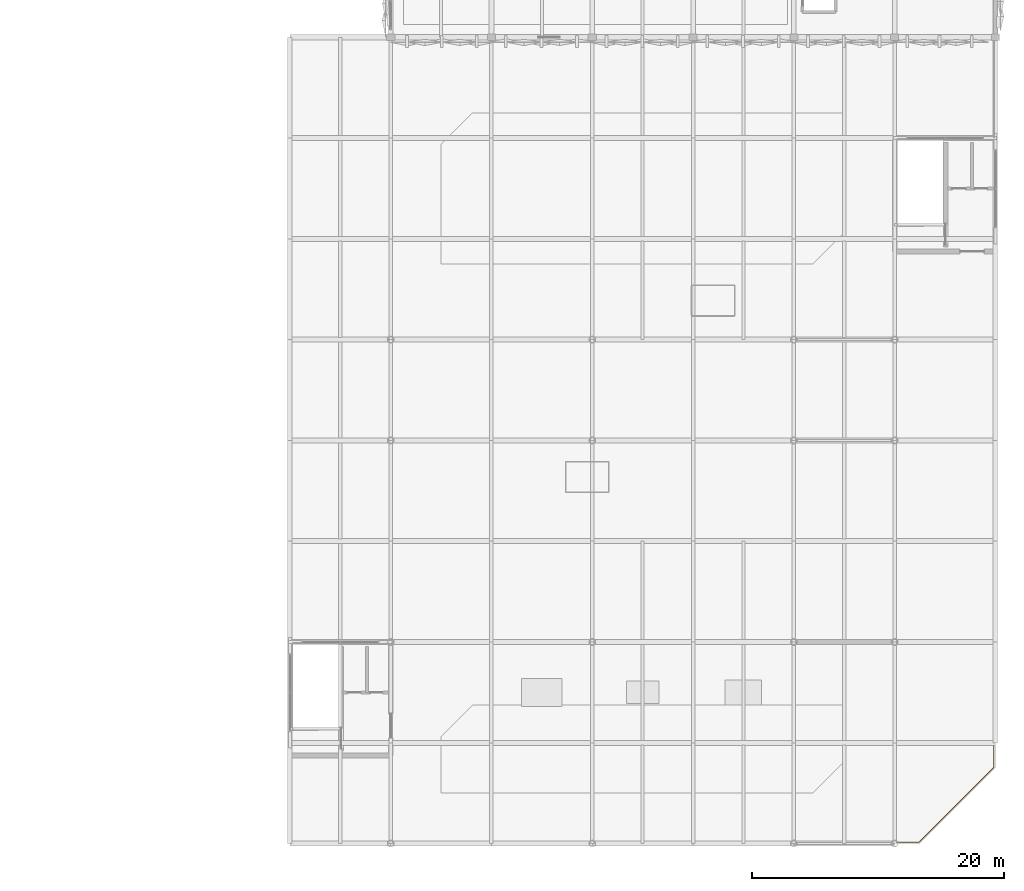
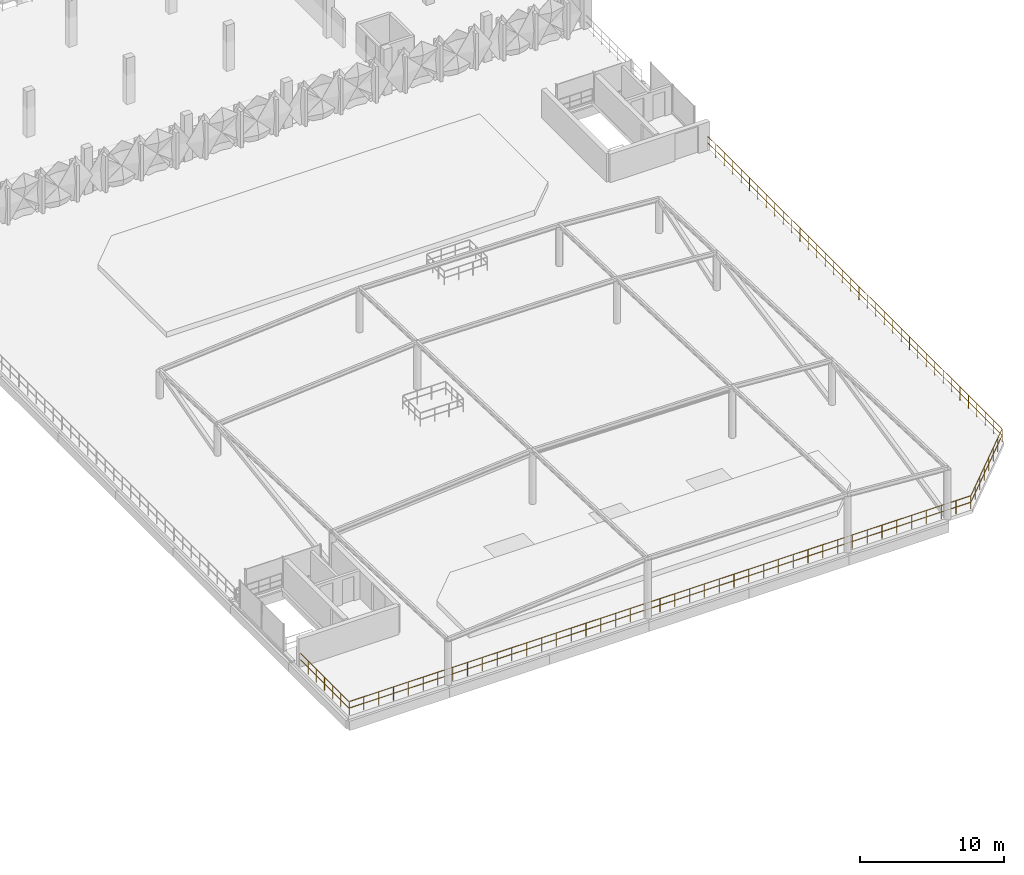
# One storey, part 71 of 76: 1 railing.
"""IFC4 building model written with IfcOpenShell, lengths in metres."""

from ifc_helpers import new_model, si_unit, derived_unit, direction, frame, origin, origin_2d, place, context, subcontext, project, spatial, circle, extrude, material, type_object, element, save


model = new_model("IFC4")

# Units and contexts
model_context = context("Model", 3, precision=1e-05, world=origin(), true_north=direction((0.0, 1.0)))
body_context = subcontext(model_context, "Body", "Model", "MODEL_VIEW")
ifc_project = project(units=[si_unit("LENGTHUNIT", "METRE"), si_unit("AREAUNIT", "SQUARE_METRE"), si_unit("VOLUMEUNIT", "CUBIC_METRE"), si_unit("PLANEANGLEUNIT", "RADIAN"), si_unit("MASSUNIT", "GRAM", prefix="KILO"), si_unit("THERMODYNAMICTEMPERATUREUNIT", "KELVIN"), derived_unit("THERMALTRANSMITTANCEUNIT", [(si_unit("POWERUNIT", "WATT"), 1), (si_unit("AREAUNIT", "SQUARE_METRE"), -1), (si_unit("THERMODYNAMICTEMPERATUREUNIT", "KELVIN"), -1)])], contexts=[model_context])

# Site, building, storey
site_placement = place(None, origin())
site = spatial("IfcSite", under=ifc_project, at=site_placement, CompositionType="ELEMENT")
building_placement = place(site_placement, origin())
building = spatial("IfcBuilding", under=site, at=building_placement, Name="Haiyu Intermodal Mobility Hub", CompositionType="ELEMENT")
storey_placement = place(building_placement, frame((0.0, 0.0, 17.300048828125)))
storey = spatial("IfcBuildingStorey", under=building, at=storey_placement, Name="L04", CompositionType="ELEMENT", Elevation=17.300048828125)

# Railing
ifc_material = material(Name="Steel Q355C", Category="steel")
railing_type = type_object("IfcRailingType", Name="RAL-GR02", PredefinedType="GUARDRAIL", material=ifc_material)
railing_placement = place(storey_placement, frame((154.139892578125, 22.949951171875, 0.0)))
element("IfcRailing", 1, at=railing_placement, inside=storey, type_object=railing_type, Name="L04 Roof Garden South-East Guardrail", PredefinedType="GUARDRAIL", context=body_context, shape_type="SweptSolid", body=[
    extrude(circle(Radius=0.02392578125, at=origin_2d()), frame((0.0, -0.030029296875, 1.1259765625), z_axis=(0.0, -1.0, 0.0), x_axis=(1.0, 0.0, 0.0)), (0.0, 0.0, 1.0), 6.769775390625),
    extrude(circle(Radius=0.02392578125, at=origin_2d()), frame((0.0, -0.037353515625, 0.574951171875), z_axis=(0.0, -1.0, 0.0), x_axis=(1.0, 0.0, 0.0)), (0.0, 0.0, 1.0), 1.063720703125),
    extrude(circle(Radius=0.02392578125, at=origin_2d()), frame((0.0, -1.175537109375, 0.574951171875), z_axis=(0.0, -1.0, 0.0), x_axis=(1.0, 0.0, 0.0)), (0.0, 0.0, 1.0), 1.063720703125),
    extrude(circle(Radius=0.02392578125, at=origin_2d()), frame((0.0, -2.31396484375, 0.574951171875), z_axis=(0.0, -1.0, 0.0), x_axis=(1.0, 0.0, 0.0)), (0.0, 0.0, 1.0), 1.063720703125),
    extrude(circle(Radius=0.02392578125, at=origin_2d()), frame((0.0, -3.4521484375, 0.574951171875), z_axis=(0.0, -1.0, 0.0), x_axis=(1.0, 0.0, 0.0)), (0.0, 0.0, 1.0), 1.063720703125),
    extrude(circle(Radius=0.02392578125, at=origin_2d()), frame((0.0, -4.590576171875, 0.574951171875), z_axis=(0.0, -1.0, 0.0), x_axis=(1.0, 0.0, 0.0)), (0.0, 0.0, 1.0), 1.063720703125),
    extrude(circle(Radius=0.02392578125, at=origin_2d()), frame((0.0, -5.728759765625, 0.574951171875), z_axis=(0.0, -1.0, 0.0), x_axis=(1.0, 0.0, 0.0)), (0.0, 0.0, 1.0), 1.063720703125),
    extrude(circle(Radius=0.02392578125, at=origin_2d()), frame((0.030029296875, -6.829833984375, 1.1259765625), z_axis=(1.0, 0.0, 0.0), x_axis=(0.0, 1.0, 0.0)), (0.0, 0.0, 1.0), 49.75),
    extrude(circle(Radius=0.02392578125, at=origin_2d()), frame((0.037353515625, -6.829833984375, 0.574951171875), z_axis=(1.0, 0.0, 0.0), x_axis=(0.0, 1.0, 0.0)), (0.0, 0.0, 1.0), 1.111328125),
    extrude(circle(Radius=0.02392578125, at=origin_2d()), frame((1.22314453125, -6.829833984375, 0.574951171875), z_axis=(1.0, 0.0, 0.0), x_axis=(0.0, 1.0, 0.0)), (0.0, 0.0, 1.0), 1.111328125),
    extrude(circle(Radius=0.02392578125, at=origin_2d()), frame((2.4091796875, -6.829833984375, 0.574951171875), z_axis=(1.0, 0.0, 0.0), x_axis=(0.0, 1.0, 0.0)), (0.0, 0.0, 1.0), 1.111328125),
    extrude(circle(Radius=0.02392578125, at=origin_2d()), frame((3.59521484375, -6.829833984375, 0.574951171875), z_axis=(1.0, 0.0, 0.0), x_axis=(0.0, 1.0, 0.0)), (0.0, 0.0, 1.0), 1.111328125),
    extrude(circle(Radius=0.02392578125, at=origin_2d()), frame((4.781005859375, -6.829833984375, 0.574951171875), z_axis=(1.0, 0.0, 0.0), x_axis=(0.0, 1.0, 0.0)), (0.0, 0.0, 1.0), 1.111328125),
    extrude(circle(Radius=0.02392578125, at=origin_2d()), frame((5.967041015625, -6.829833984375, 0.574951171875), z_axis=(1.0, 0.0, 0.0), x_axis=(0.0, 1.0, 0.0)), (0.0, 0.0, 1.0), 1.111328125),
    extrude(circle(Radius=0.02392578125, at=origin_2d()), frame((7.153076171875, -6.829833984375, 0.574951171875), z_axis=(1.0, 0.0, 0.0), x_axis=(0.0, 1.0, 0.0)), (0.0, 0.0, 1.0), 1.111328125),
    extrude(circle(Radius=0.02392578125, at=origin_2d()), frame((8.3388671875, -6.829833984375, 0.574951171875), z_axis=(1.0, 0.0, 0.0), x_axis=(0.0, 1.0, 0.0)), (0.0, 0.0, 1.0), 1.111328125),
    extrude(circle(Radius=0.02392578125, at=origin_2d()), frame((9.52490234375, -6.829833984375, 0.574951171875), z_axis=(1.0, 0.0, 0.0), x_axis=(0.0, 1.0, 0.0)), (0.0, 0.0, 1.0), 1.111328125),
    extrude(circle(Radius=0.02392578125, at=origin_2d()), frame((10.7109375, -6.829833984375, 0.574951171875), z_axis=(1.0, 0.0, 0.0), x_axis=(0.0, 1.0, 0.0)), (0.0, 0.0, 1.0), 1.111328125),
    extrude(circle(Radius=0.02392578125, at=origin_2d()), frame((11.896728515625, -6.829833984375, 0.574951171875), z_axis=(1.0, 0.0, 0.0), x_axis=(0.0, 1.0, 0.0)), (0.0, 0.0, 1.0), 1.111328125),
    extrude(circle(Radius=0.02392578125, at=origin_2d()), frame((13.082763671875, -6.829833984375, 0.574951171875), z_axis=(1.0, 0.0, 0.0), x_axis=(0.0, 1.0, 0.0)), (0.0, 0.0, 1.0), 1.111328125),
    extrude(circle(Radius=0.02392578125, at=origin_2d()), frame((14.268798828125, -6.829833984375, 0.574951171875), z_axis=(1.0, 0.0, 0.0), x_axis=(0.0, 1.0, 0.0)), (0.0, 0.0, 1.0), 1.111328125),
    extrude(circle(Radius=0.02392578125, at=origin_2d()), frame((15.45458984375, -6.829833984375, 0.574951171875), z_axis=(1.0, 0.0, 0.0), x_axis=(0.0, 1.0, 0.0)), (0.0, 0.0, 1.0), 1.111328125),
    extrude(circle(Radius=0.02392578125, at=origin_2d()), frame((16.640625, -6.829833984375, 0.574951171875), z_axis=(1.0, 0.0, 0.0), x_axis=(0.0, 1.0, 0.0)), (0.0, 0.0, 1.0), 1.111328125),
    extrude(circle(Radius=0.02392578125, at=origin_2d()), frame((17.82666015625, -6.829833984375, 0.574951171875), z_axis=(1.0, 0.0, 0.0), x_axis=(0.0, 1.0, 0.0)), (0.0, 0.0, 1.0), 1.111328125),
    extrude(circle(Radius=0.02392578125, at=origin_2d()), frame((19.012451171875, -6.829833984375, 0.574951171875), z_axis=(1.0, 0.0, 0.0), x_axis=(0.0, 1.0, 0.0)), (0.0, 0.0, 1.0), 1.111328125),
    extrude(circle(Radius=0.02392578125, at=origin_2d()), frame((20.198486328125, -6.829833984375, 0.574951171875), z_axis=(1.0, 0.0, 0.0), x_axis=(0.0, 1.0, 0.0)), (0.0, 0.0, 1.0), 1.111328125),
    extrude(circle(Radius=0.02392578125, at=origin_2d()), frame((21.384521484375, -6.829833984375, 0.574951171875), z_axis=(1.0, 0.0, 0.0), x_axis=(0.0, 1.0, 0.0)), (0.0, 0.0, 1.0), 1.111328125),
    extrude(circle(Radius=0.02392578125, at=origin_2d()), frame((22.5703125, -6.829833984375, 0.574951171875), z_axis=(1.0, 0.0, 0.0), x_axis=(0.0, 1.0, 0.0)), (0.0, 0.0, 1.0), 1.111328125),
    extrude(circle(Radius=0.02392578125, at=origin_2d()), frame((23.75634765625, -6.829833984375, 0.574951171875), z_axis=(1.0, 0.0, 0.0), x_axis=(0.0, 1.0, 0.0)), (0.0, 0.0, 1.0), 1.111328125),
    extrude(circle(Radius=0.02392578125, at=origin_2d()), frame((24.9423828125, -6.829833984375, 0.574951171875), z_axis=(1.0, 0.0, 0.0), x_axis=(0.0, 1.0, 0.0)), (0.0, 0.0, 1.0), 1.111328125),
    extrude(circle(Radius=0.02392578125, at=origin_2d()), frame((26.128173828125, -6.829833984375, 0.574951171875), z_axis=(1.0, 0.0, 0.0), x_axis=(0.0, 1.0, 0.0)), (0.0, 0.0, 1.0), 1.111328125),
    extrude(circle(Radius=0.02392578125, at=origin_2d()), frame((27.314208984375, -6.829833984375, 0.574951171875), z_axis=(1.0, 0.0, 0.0), x_axis=(0.0, 1.0, 0.0)), (0.0, 0.0, 1.0), 1.111328125),
    extrude(circle(Radius=0.02392578125, at=origin_2d()), frame((28.500244140625, -6.829833984375, 0.574951171875), z_axis=(1.0, 0.0, 0.0), x_axis=(0.0, 1.0, 0.0)), (0.0, 0.0, 1.0), 1.111328125),
    extrude(circle(Radius=0.02392578125, at=origin_2d()), frame((29.68603515625, -6.829833984375, 0.574951171875), z_axis=(1.0, 0.0, 0.0), x_axis=(0.0, 1.0, 0.0)), (0.0, 0.0, 1.0), 1.111328125),
    extrude(circle(Radius=0.02392578125, at=origin_2d()), frame((30.8720703125, -6.829833984375, 0.574951171875), z_axis=(1.0, 0.0, 0.0), x_axis=(0.0, 1.0, 0.0)), (0.0, 0.0, 1.0), 1.111328125),
    extrude(circle(Radius=0.02392578125, at=origin_2d()), frame((32.05810546875, -6.829833984375, 0.574951171875), z_axis=(1.0, 0.0, 0.0), x_axis=(0.0, 1.0, 0.0)), (0.0, 0.0, 1.0), 1.111328125),
    extrude(circle(Radius=0.02392578125, at=origin_2d()), frame((33.243896484375, -6.829833984375, 0.574951171875), z_axis=(1.0, 0.0, 0.0), x_axis=(0.0, 1.0, 0.0)), (0.0, 0.0, 1.0), 1.111328125),
    extrude(circle(Radius=0.02392578125, at=origin_2d()), frame((34.429931640625, -6.829833984375, 0.574951171875), z_axis=(1.0, 0.0, 0.0), x_axis=(0.0, 1.0, 0.0)), (0.0, 0.0, 1.0), 1.111328125),
    extrude(circle(Radius=0.02392578125, at=origin_2d()), frame((35.615966796875, -6.829833984375, 0.574951171875), z_axis=(1.0, 0.0, 0.0), x_axis=(0.0, 1.0, 0.0)), (0.0, 0.0, 1.0), 1.111328125),
    extrude(circle(Radius=0.02392578125, at=origin_2d()), frame((36.8017578125, -6.829833984375, 0.574951171875), z_axis=(1.0, 0.0, 0.0), x_axis=(0.0, 1.0, 0.0)), (0.0, 0.0, 1.0), 1.111328125),
    extrude(circle(Radius=0.02392578125, at=origin_2d()), frame((37.98779296875, -6.829833984375, 0.574951171875), z_axis=(1.0, 0.0, 0.0), x_axis=(0.0, 1.0, 0.0)), (0.0, 0.0, 1.0), 1.111328125),
    extrude(circle(Radius=0.02392578125, at=origin_2d()), frame((39.173828125, -6.829833984375, 0.574951171875), z_axis=(1.0, 0.0, 0.0), x_axis=(0.0, 1.0, 0.0)), (0.0, 0.0, 1.0), 1.111328125),
    extrude(circle(Radius=0.02392578125, at=origin_2d()), frame((40.359619140625, -6.829833984375, 0.574951171875), z_axis=(1.0, 0.0, 0.0), x_axis=(0.0, 1.0, 0.0)), (0.0, 0.0, 1.0), 1.111328125),
    extrude(circle(Radius=0.02392578125, at=origin_2d()), frame((41.545654296875, -6.829833984375, 0.574951171875), z_axis=(1.0, 0.0, 0.0), x_axis=(0.0, 1.0, 0.0)), (0.0, 0.0, 1.0), 1.111328125),
    extrude(circle(Radius=0.02392578125, at=origin_2d()), frame((42.731689453125, -6.829833984375, 0.574951171875), z_axis=(1.0, 0.0, 0.0), x_axis=(0.0, 1.0, 0.0)), (0.0, 0.0, 1.0), 1.111328125),
    extrude(circle(Radius=0.02392578125, at=origin_2d()), frame((43.91748046875, -6.829833984375, 0.574951171875), z_axis=(1.0, 0.0, 0.0), x_axis=(0.0, 1.0, 0.0)), (0.0, 0.0, 1.0), 1.111328125),
    extrude(circle(Radius=0.02392578125, at=origin_2d()), frame((45.103515625, -6.829833984375, 0.574951171875), z_axis=(1.0, 0.0, 0.0), x_axis=(0.0, 1.0, 0.0)), (0.0, 0.0, 1.0), 1.111328125),
    extrude(circle(Radius=0.02392578125, at=origin_2d()), frame((46.28955078125, -6.829833984375, 0.574951171875), z_axis=(1.0, 0.0, 0.0), x_axis=(0.0, 1.0, 0.0)), (0.0, 0.0, 1.0), 1.111328125),
    extrude(circle(Radius=0.02392578125, at=origin_2d()), frame((47.475341796875, -6.829833984375, 0.574951171875), z_axis=(1.0, 0.0, 0.0), x_axis=(0.0, 1.0, 0.0)), (0.0, 0.0, 1.0), 1.111328125),
    extrude(circle(Radius=0.02392578125, at=origin_2d()), frame((48.661376953125, -6.829833984375, 0.574951171875), z_axis=(1.0, 0.0, 0.0), x_axis=(0.0, 1.0, 0.0)), (0.0, 0.0, 1.0), 1.111328125),
    extrude(circle(Radius=0.02392578125, at=origin_2d()), frame((49.831298828125, -6.80859375, 1.1259765625), z_axis=(0.707106781187, 0.707106781187, 0.0), x_axis=(-0.707106781187, 0.707106781187, 0.0)), (0.0, 0.0, 1.0), 8.326171875),
    extrude(circle(Radius=0.02392578125, at=origin_2d()), frame((49.83642578125, -6.803466796875, 0.574951171875), z_axis=(0.707106781187, 0.707106781187, 0.0), x_axis=(-0.707106781187, 0.707106781187, 0.0)), (0.0, 0.0, 1.0), 1.12353515625),
    extrude(circle(Radius=0.02392578125, at=origin_2d()), frame((50.68359375, -5.956298828125, 0.574951171875), z_axis=(0.707106781187, 0.707106781187, 0.0), x_axis=(-0.707106781187, 0.707106781187, 0.0)), (0.0, 0.0, 1.0), 1.12353515625),
    extrude(circle(Radius=0.02392578125, at=origin_2d()), frame((51.53076171875, -5.109130859375, 0.574951171875), z_axis=(0.707106781187, 0.707106781187, 0.0), x_axis=(-0.707106781187, 0.707106781187, 0.0)), (0.0, 0.0, 1.0), 1.12353515625),
    extrude(circle(Radius=0.02392578125, at=origin_2d()), frame((52.3779296875, -4.261962890625, 0.574951171875), z_axis=(0.707106781187, 0.707106781187, 0.0), x_axis=(-0.707106781187, 0.707106781187, 0.0)), (0.0, 0.0, 1.0), 1.12353515625),
    extrude(circle(Radius=0.02392578125, at=origin_2d()), frame((53.224853515625, -3.4150390625, 0.574951171875), z_axis=(0.707106781187, 0.707106781187, 0.0), x_axis=(-0.707106781187, 0.707106781187, 0.0)), (0.0, 0.0, 1.0), 1.12353515625),
    extrude(circle(Radius=0.02392578125, at=origin_2d()), frame((54.072021484375, -2.56787109375, 0.574951171875), z_axis=(0.707106781187, 0.707106781187, 0.0), x_axis=(-0.707106781187, 0.707106781187, 0.0)), (0.0, 0.0, 1.0), 1.12353515625),
    extrude(circle(Radius=0.02392578125, at=origin_2d()), frame((54.919189453125, -1.720703125, 0.574951171875), z_axis=(0.707106781187, 0.707106781187, 0.0), x_axis=(-0.707106781187, 0.707106781187, 0.0)), (0.0, 0.0, 1.0), 1.12353515625),
    extrude(circle(Radius=0.02392578125, at=origin_2d()), frame((55.739990234375, -0.869873046875, 1.1259765625), z_axis=(0.0, 1.0, 0.0), x_axis=(-1.0, 0.0, 0.0)), (0.0, 0.0, 1.0), 40.83984375),
    extrude(circle(Radius=0.02392578125, at=origin_2d()), frame((55.739990234375, -0.862548828125, 0.574951171875), z_axis=(0.0, 1.0, 0.0), x_axis=(-1.0, 0.0, 0.0)), (0.0, 0.0, 1.0), 1.093994140625),
    extrude(circle(Radius=0.02392578125, at=origin_2d()), frame((55.739990234375, 0.305908203125, 0.574951171875), z_axis=(0.0, 1.0, 0.0), x_axis=(-1.0, 0.0, 0.0)), (0.0, 0.0, 1.0), 1.093994140625),
    extrude(circle(Radius=0.02392578125, at=origin_2d()), frame((55.739990234375, 1.474609375, 0.574951171875), z_axis=(0.0, 1.0, 0.0), x_axis=(-1.0, 0.0, 0.0)), (0.0, 0.0, 1.0), 1.093994140625),
    extrude(circle(Radius=0.02392578125, at=origin_2d()), frame((55.739990234375, 2.64306640625, 0.574951171875), z_axis=(0.0, 1.0, 0.0), x_axis=(-1.0, 0.0, 0.0)), (0.0, 0.0, 1.0), 1.093994140625),
    extrude(circle(Radius=0.02392578125, at=origin_2d()), frame((55.739990234375, 3.811767578125, 0.574951171875), z_axis=(0.0, 1.0, 0.0), x_axis=(-1.0, 0.0, 0.0)), (0.0, 0.0, 1.0), 1.093994140625),
    extrude(circle(Radius=0.02392578125, at=origin_2d()), frame((55.739990234375, 4.980224609375, 0.574951171875), z_axis=(0.0, 1.0, 0.0), x_axis=(-1.0, 0.0, 0.0)), (0.0, 0.0, 1.0), 1.093994140625),
    extrude(circle(Radius=0.02392578125, at=origin_2d()), frame((55.739990234375, 6.14892578125, 0.574951171875), z_axis=(0.0, 1.0, 0.0), x_axis=(-1.0, 0.0, 0.0)), (0.0, 0.0, 1.0), 1.093994140625),
    extrude(circle(Radius=0.02392578125, at=origin_2d()), frame((55.739990234375, 7.3173828125, 0.574951171875), z_axis=(0.0, 1.0, 0.0), x_axis=(-1.0, 0.0, 0.0)), (0.0, 0.0, 1.0), 1.093994140625),
    extrude(circle(Radius=0.02392578125, at=origin_2d()), frame((55.739990234375, 8.48583984375, 0.574951171875), z_axis=(0.0, 1.0, 0.0), x_axis=(-1.0, 0.0, 0.0)), (0.0, 0.0, 1.0), 1.093994140625),
    extrude(circle(Radius=0.02392578125, at=origin_2d()), frame((55.739990234375, 9.654541015625, 0.574951171875), z_axis=(0.0, 1.0, 0.0), x_axis=(-1.0, 0.0, 0.0)), (0.0, 0.0, 1.0), 1.093994140625),
    extrude(circle(Radius=0.02392578125, at=origin_2d()), frame((55.739990234375, 10.822998046875, 0.574951171875), z_axis=(0.0, 1.0, 0.0), x_axis=(-1.0, 0.0, 0.0)), (0.0, 0.0, 1.0), 1.093994140625),
    extrude(circle(Radius=0.02392578125, at=origin_2d()), frame((55.739990234375, 11.99169921875, 0.574951171875), z_axis=(0.0, 1.0, 0.0), x_axis=(-1.0, 0.0, 0.0)), (0.0, 0.0, 1.0), 1.093994140625),
    extrude(circle(Radius=0.02392578125, at=origin_2d()), frame((55.739990234375, 13.16015625, 0.574951171875), z_axis=(0.0, 1.0, 0.0), x_axis=(-1.0, 0.0, 0.0)), (0.0, 0.0, 1.0), 1.093994140625),
    extrude(circle(Radius=0.02392578125, at=origin_2d()), frame((55.739990234375, 14.328857421875, 0.574951171875), z_axis=(0.0, 1.0, 0.0), x_axis=(-1.0, 0.0, 0.0)), (0.0, 0.0, 1.0), 1.093994140625),
    extrude(circle(Radius=0.02392578125, at=origin_2d()), frame((55.739990234375, 15.497314453125, 0.574951171875), z_axis=(0.0, 1.0, 0.0), x_axis=(-1.0, 0.0, 0.0)), (0.0, 0.0, 1.0), 1.093994140625),
    extrude(circle(Radius=0.02392578125, at=origin_2d()), frame((55.739990234375, 16.666015625, 0.574951171875), z_axis=(0.0, 1.0, 0.0), x_axis=(-1.0, 0.0, 0.0)), (0.0, 0.0, 1.0), 1.093994140625),
    extrude(circle(Radius=0.02392578125, at=origin_2d()), frame((55.739990234375, 17.83447265625, 0.574951171875), z_axis=(0.0, 1.0, 0.0), x_axis=(-1.0, 0.0, 0.0)), (0.0, 0.0, 1.0), 1.093994140625),
    extrude(circle(Radius=0.02392578125, at=origin_2d()), frame((55.739990234375, 19.003173828125, 0.574951171875), z_axis=(0.0, 1.0, 0.0), x_axis=(-1.0, 0.0, 0.0)), (0.0, 0.0, 1.0), 1.093994140625),
    extrude(circle(Radius=0.02392578125, at=origin_2d()), frame((55.739990234375, 20.171630859375, 0.574951171875), z_axis=(0.0, 1.0, 0.0), x_axis=(-1.0, 0.0, 0.0)), (0.0, 0.0, 1.0), 1.093994140625),
    extrude(circle(Radius=0.02392578125, at=origin_2d()), frame((55.739990234375, 21.340087890625, 0.574951171875), z_axis=(0.0, 1.0, 0.0), x_axis=(-1.0, 0.0, 0.0)), (0.0, 0.0, 1.0), 1.093994140625),
    extrude(circle(Radius=0.02392578125, at=origin_2d()), frame((55.739990234375, 22.5087890625, 0.574951171875), z_axis=(0.0, 1.0, 0.0), x_axis=(-1.0, 0.0, 0.0)), (0.0, 0.0, 1.0), 1.093994140625),
    extrude(circle(Radius=0.02392578125, at=origin_2d()), frame((55.739990234375, 23.67724609375, 0.574951171875), z_axis=(0.0, 1.0, 0.0), x_axis=(-1.0, 0.0, 0.0)), (0.0, 0.0, 1.0), 1.093994140625),
    extrude(circle(Radius=0.02392578125, at=origin_2d()), frame((55.739990234375, 24.845947265625, 0.574951171875), z_axis=(0.0, 1.0, 0.0), x_axis=(-1.0, 0.0, 0.0)), (0.0, 0.0, 1.0), 1.093994140625),
    extrude(circle(Radius=0.02392578125, at=origin_2d()), frame((55.739990234375, 26.014404296875, 0.574951171875), z_axis=(0.0, 1.0, 0.0), x_axis=(-1.0, 0.0, 0.0)), (0.0, 0.0, 1.0), 1.093994140625),
    extrude(circle(Radius=0.02392578125, at=origin_2d()), frame((55.739990234375, 27.18310546875, 0.574951171875), z_axis=(0.0, 1.0, 0.0), x_axis=(-1.0, 0.0, 0.0)), (0.0, 0.0, 1.0), 1.093994140625),
    extrude(circle(Radius=0.02392578125, at=origin_2d()), frame((55.739990234375, 28.3515625, 0.574951171875), z_axis=(0.0, 1.0, 0.0), x_axis=(-1.0, 0.0, 0.0)), (0.0, 0.0, 1.0), 1.093994140625),
    extrude(circle(Radius=0.02392578125, at=origin_2d()), frame((55.739990234375, 29.520263671875, 0.574951171875), z_axis=(0.0, 1.0, 0.0), x_axis=(-1.0, 0.0, 0.0)), (0.0, 0.0, 1.0), 1.093994140625),
    extrude(circle(Radius=0.02392578125, at=origin_2d()), frame((55.739990234375, 30.688720703125, 0.574951171875), z_axis=(0.0, 1.0, 0.0), x_axis=(-1.0, 0.0, 0.0)), (0.0, 0.0, 1.0), 1.093994140625),
    extrude(circle(Radius=0.02392578125, at=origin_2d()), frame((55.739990234375, 31.857421875, 0.574951171875), z_axis=(0.0, 1.0, 0.0), x_axis=(-1.0, 0.0, 0.0)), (0.0, 0.0, 1.0), 1.093994140625),
    extrude(circle(Radius=0.02392578125, at=origin_2d()), frame((55.739990234375, 33.02587890625, 0.574951171875), z_axis=(0.0, 1.0, 0.0), x_axis=(-1.0, 0.0, 0.0)), (0.0, 0.0, 1.0), 1.093994140625),
    extrude(circle(Radius=0.02392578125, at=origin_2d()), frame((55.739990234375, 34.1943359375, 0.574951171875), z_axis=(0.0, 1.0, 0.0), x_axis=(-1.0, 0.0, 0.0)), (0.0, 0.0, 1.0), 1.093994140625),
    extrude(circle(Radius=0.02392578125, at=origin_2d()), frame((55.739990234375, 35.363037109375, 0.574951171875), z_axis=(0.0, 1.0, 0.0), x_axis=(-1.0, 0.0, 0.0)), (0.0, 0.0, 1.0), 1.093994140625),
    extrude(circle(Radius=0.02392578125, at=origin_2d()), frame((55.739990234375, 36.531494140625, 0.574951171875), z_axis=(0.0, 1.0, 0.0), x_axis=(-1.0, 0.0, 0.0)), (0.0, 0.0, 1.0), 1.093994140625),
    extrude(circle(Radius=0.02392578125, at=origin_2d()), frame((55.739990234375, 37.7001953125, 0.574951171875), z_axis=(0.0, 1.0, 0.0), x_axis=(-1.0, 0.0, 0.0)), (0.0, 0.0, 1.0), 1.093994140625),
    extrude(circle(Radius=0.02392578125, at=origin_2d()), frame((55.739990234375, 38.86865234375, 0.574951171875), z_axis=(0.0, 1.0, 0.0), x_axis=(-1.0, 0.0, 0.0)), (0.0, 0.0, 1.0), 1.093994140625),
    extrude(circle(Radius=0.02099609375, at=origin_2d()), origin(), (0.0, 0.0, 1.0), 1.09375),
    extrude(circle(Radius=0.02099609375, at=origin_2d()), frame((0.0, -1.13818359375, 0.0)), (0.0, 0.0, 1.0), 1.09375),
    extrude(circle(Radius=0.02099609375, at=origin_2d()), frame((0.0, -2.276611328125, 0.0)), (0.0, 0.0, 1.0), 1.09375),
    extrude(circle(Radius=0.02099609375, at=origin_2d()), frame((0.0, -3.4150390625, 0.0)), (0.0, 0.0, 1.0), 1.09375),
    extrude(circle(Radius=0.02099609375, at=origin_2d()), frame((0.0, -4.55322265625, 0.0)), (0.0, 0.0, 1.0), 1.09375),
    extrude(circle(Radius=0.02099609375, at=origin_2d()), frame((0.0, -5.69140625, 0.0)), (0.0, 0.0, 1.0), 1.09375),
    extrude(circle(Radius=0.02099609375, at=origin_2d()), frame((0.0, -6.829833984375, 0.0)), (0.0, 0.0, 1.0), 1.09375),
    extrude(circle(Radius=0.02099609375, at=origin_2d()), frame((1.18603515625, -6.829833984375, 0.0)), (0.0, 0.0, 1.0), 1.09375),
    extrude(circle(Radius=0.02099609375, at=origin_2d()), frame((2.371826171875, -6.829833984375, 0.0)), (0.0, 0.0, 1.0), 1.09375),
    extrude(circle(Radius=0.02099609375, at=origin_2d()), frame((3.557861328125, -6.829833984375, 0.0)), (0.0, 0.0, 1.0), 1.09375),
    extrude(circle(Radius=0.02099609375, at=origin_2d()), frame((4.743896484375, -6.829833984375, 0.0)), (0.0, 0.0, 1.0), 1.09375),
    extrude(circle(Radius=0.02099609375, at=origin_2d()), frame((5.9296875, -6.829833984375, 0.0)), (0.0, 0.0, 1.0), 1.09375),
    extrude(circle(Radius=0.02099609375, at=origin_2d()), frame((7.11572265625, -6.829833984375, 0.0)), (0.0, 0.0, 1.0), 1.09375),
    extrude(circle(Radius=0.02099609375, at=origin_2d()), frame((8.3017578125, -6.829833984375, 0.0)), (0.0, 0.0, 1.0), 1.09375),
    extrude(circle(Radius=0.02099609375, at=origin_2d()), frame((9.487548828125, -6.829833984375, 0.0)), (0.0, 0.0, 1.0), 1.09375),
    extrude(circle(Radius=0.02099609375, at=origin_2d()), frame((10.673583984375, -6.829833984375, 0.0)), (0.0, 0.0, 1.0), 1.09375),
    extrude(circle(Radius=0.02099609375, at=origin_2d()), frame((11.859619140625, -6.829833984375, 0.0)), (0.0, 0.0, 1.0), 1.09375),
    extrude(circle(Radius=0.02099609375, at=origin_2d()), frame((13.04541015625, -6.829833984375, 0.0)), (0.0, 0.0, 1.0), 1.09375),
    extrude(circle(Radius=0.02099609375, at=origin_2d()), frame((14.2314453125, -6.829833984375, 0.0)), (0.0, 0.0, 1.0), 1.09375),
    extrude(circle(Radius=0.02099609375, at=origin_2d()), frame((15.41748046875, -6.829833984375, 0.0)), (0.0, 0.0, 1.0), 1.09375),
    extrude(circle(Radius=0.02099609375, at=origin_2d()), frame((16.603271484375, -6.829833984375, 0.0)), (0.0, 0.0, 1.0), 1.09375),
    extrude(circle(Radius=0.02099609375, at=origin_2d()), frame((17.789306640625, -6.829833984375, 0.0)), (0.0, 0.0, 1.0), 1.09375),
    extrude(circle(Radius=0.02099609375, at=origin_2d()), frame((18.975341796875, -6.829833984375, 0.0)), (0.0, 0.0, 1.0), 1.09375),
    extrude(circle(Radius=0.02099609375, at=origin_2d()), frame((20.1611328125, -6.829833984375, 0.0)), (0.0, 0.0, 1.0), 1.09375),
    extrude(circle(Radius=0.02099609375, at=origin_2d()), frame((21.34716796875, -6.829833984375, 0.0)), (0.0, 0.0, 1.0), 1.09375),
    extrude(circle(Radius=0.02099609375, at=origin_2d()), frame((22.533203125, -6.829833984375, 0.0)), (0.0, 0.0, 1.0), 1.09375),
    extrude(circle(Radius=0.02099609375, at=origin_2d()), frame((23.718994140625, -6.829833984375, 0.0)), (0.0, 0.0, 1.0), 1.09375),
    extrude(circle(Radius=0.02099609375, at=origin_2d()), frame((24.905029296875, -6.829833984375, 0.0)), (0.0, 0.0, 1.0), 1.09375),
    extrude(circle(Radius=0.02099609375, at=origin_2d()), frame((26.091064453125, -6.829833984375, 0.0)), (0.0, 0.0, 1.0), 1.09375),
    extrude(circle(Radius=0.02099609375, at=origin_2d()), frame((27.27685546875, -6.829833984375, 0.0)), (0.0, 0.0, 1.0), 1.09375),
    extrude(circle(Radius=0.02099609375, at=origin_2d()), frame((28.462890625, -6.829833984375, 0.0)), (0.0, 0.0, 1.0), 1.09375),
    extrude(circle(Radius=0.02099609375, at=origin_2d()), frame((29.64892578125, -6.829833984375, 0.0)), (0.0, 0.0, 1.0), 1.09375),
    extrude(circle(Radius=0.02099609375, at=origin_2d()), frame((30.834716796875, -6.829833984375, 0.0)), (0.0, 0.0, 1.0), 1.09375),
    extrude(circle(Radius=0.02099609375, at=origin_2d()), frame((32.020751953125, -6.829833984375, 0.0)), (0.0, 0.0, 1.0), 1.09375),
    extrude(circle(Radius=0.02099609375, at=origin_2d()), frame((33.206787109375, -6.829833984375, 0.0)), (0.0, 0.0, 1.0), 1.09375),
    extrude(circle(Radius=0.02099609375, at=origin_2d()), frame((34.392578125, -6.829833984375, 0.0)), (0.0, 0.0, 1.0), 1.09375),
    extrude(circle(Radius=0.02099609375, at=origin_2d()), frame((35.57861328125, -6.829833984375, 0.0)), (0.0, 0.0, 1.0), 1.09375),
    extrude(circle(Radius=0.02099609375, at=origin_2d()), frame((36.7646484375, -6.829833984375, 0.0)), (0.0, 0.0, 1.0), 1.09375),
    extrude(circle(Radius=0.02099609375, at=origin_2d()), frame((37.950439453125, -6.829833984375, 0.0)), (0.0, 0.0, 1.0), 1.09375),
    extrude(circle(Radius=0.02099609375, at=origin_2d()), frame((39.136474609375, -6.829833984375, 0.0)), (0.0, 0.0, 1.0), 1.09375),
    extrude(circle(Radius=0.02099609375, at=origin_2d()), frame((40.322509765625, -6.829833984375, 0.0)), (0.0, 0.0, 1.0), 1.09375),
    extrude(circle(Radius=0.02099609375, at=origin_2d()), frame((41.50830078125, -6.829833984375, 0.0)), (0.0, 0.0, 1.0), 1.09375),
    extrude(circle(Radius=0.02099609375, at=origin_2d()), frame((42.6943359375, -6.829833984375, 0.0)), (0.0, 0.0, 1.0), 1.09375),
    extrude(circle(Radius=0.02099609375, at=origin_2d()), frame((43.88037109375, -6.829833984375, 0.0)), (0.0, 0.0, 1.0), 1.09375),
    extrude(circle(Radius=0.02099609375, at=origin_2d()), frame((45.066162109375, -6.829833984375, 0.0)), (0.0, 0.0, 1.0), 1.09375),
    extrude(circle(Radius=0.02099609375, at=origin_2d()), frame((46.252197265625, -6.829833984375, 0.0)), (0.0, 0.0, 1.0), 1.09375),
    extrude(circle(Radius=0.02099609375, at=origin_2d()), frame((47.438232421875, -6.829833984375, 0.0)), (0.0, 0.0, 1.0), 1.09375),
    extrude(circle(Radius=0.02099609375, at=origin_2d()), frame((48.6240234375, -6.829833984375, 0.0)), (0.0, 0.0, 1.0), 1.09375),
    extrude(circle(Radius=0.02099609375, at=origin_2d()), frame((49.81005859375, -6.829833984375, 0.0)), (0.0, 0.0, 1.0), 1.09375),
    extrude(circle(Radius=0.02099609375, at=origin_2d()), frame((50.6572265625, -5.982666015625, 0.0)), (0.0, 0.0, 1.0), 1.09375),
    extrude(circle(Radius=0.02099609375, at=origin_2d()), frame((51.50439453125, -5.135498046875, 0.0)), (0.0, 0.0, 1.0), 1.09375),
    extrude(circle(Radius=0.02099609375, at=origin_2d()), frame((52.3515625, -4.288330078125, 0.0)), (0.0, 0.0, 1.0), 1.09375),
    extrude(circle(Radius=0.02099609375, at=origin_2d()), frame((53.198486328125, -3.44140625, 0.0)), (0.0, 0.0, 1.0), 1.09375),
    extrude(circle(Radius=0.02099609375, at=origin_2d()), frame((54.045654296875, -2.59423828125, 0.0)), (0.0, 0.0, 1.0), 1.09375),
    extrude(circle(Radius=0.02099609375, at=origin_2d()), frame((54.892822265625, -1.7470703125, 0.0)), (0.0, 0.0, 1.0), 1.09375),
    extrude(circle(Radius=0.02099609375, at=origin_2d()), frame((55.739990234375, -0.89990234375, 0.0)), (0.0, 0.0, 1.0), 1.09375),
    extrude(circle(Radius=0.02099609375, at=origin_2d()), frame((55.739990234375, 0.2685546875, 0.0)), (0.0, 0.0, 1.0), 1.09375),
    extrude(circle(Radius=0.02099609375, at=origin_2d()), frame((55.739990234375, 1.437255859375, 0.0)), (0.0, 0.0, 1.0), 1.09375),
    extrude(circle(Radius=0.02099609375, at=origin_2d()), frame((55.739990234375, 2.605712890625, 0.0)), (0.0, 0.0, 1.0), 1.09375),
    extrude(circle(Radius=0.02099609375, at=origin_2d()), frame((55.739990234375, 3.7744140625, 0.0)), (0.0, 0.0, 1.0), 1.09375),
    extrude(circle(Radius=0.02099609375, at=origin_2d()), frame((55.739990234375, 4.94287109375, 0.0)), (0.0, 0.0, 1.0), 1.09375),
    extrude(circle(Radius=0.02099609375, at=origin_2d()), frame((55.739990234375, 6.111572265625, 0.0)), (0.0, 0.0, 1.0), 1.09375),
    extrude(circle(Radius=0.02099609375, at=origin_2d()), frame((55.739990234375, 7.280029296875, 0.0)), (0.0, 0.0, 1.0), 1.09375),
    extrude(circle(Radius=0.02099609375, at=origin_2d()), frame((55.739990234375, 8.44873046875, 0.0)), (0.0, 0.0, 1.0), 1.09375),
    extrude(circle(Radius=0.02099609375, at=origin_2d()), frame((55.739990234375, 9.6171875, 0.0)), (0.0, 0.0, 1.0), 1.09375),
    extrude(circle(Radius=0.02099609375, at=origin_2d()), frame((55.739990234375, 10.785888671875, 0.0)), (0.0, 0.0, 1.0), 1.09375),
    extrude(circle(Radius=0.02099609375, at=origin_2d()), frame((55.739990234375, 11.954345703125, 0.0)), (0.0, 0.0, 1.0), 1.09375),
    extrude(circle(Radius=0.02099609375, at=origin_2d()), frame((55.739990234375, 13.122802734375, 0.0)), (0.0, 0.0, 1.0), 1.09375),
    extrude(circle(Radius=0.02099609375, at=origin_2d()), frame((55.739990234375, 14.29150390625, 0.0)), (0.0, 0.0, 1.0), 1.09375),
    extrude(circle(Radius=0.02099609375, at=origin_2d()), frame((55.739990234375, 15.4599609375, 0.0)), (0.0, 0.0, 1.0), 1.09375),
    extrude(circle(Radius=0.02099609375, at=origin_2d()), frame((55.739990234375, 16.628662109375, 0.0)), (0.0, 0.0, 1.0), 1.09375),
    extrude(circle(Radius=0.02099609375, at=origin_2d()), frame((55.739990234375, 17.797119140625, 0.0)), (0.0, 0.0, 1.0), 1.09375),
    extrude(circle(Radius=0.02099609375, at=origin_2d()), frame((55.739990234375, 18.9658203125, 0.0)), (0.0, 0.0, 1.0), 1.09375),
    extrude(circle(Radius=0.02099609375, at=origin_2d()), frame((55.739990234375, 20.13427734375, 0.0)), (0.0, 0.0, 1.0), 1.09375),
    extrude(circle(Radius=0.02099609375, at=origin_2d()), frame((55.739990234375, 21.302978515625, 0.0)), (0.0, 0.0, 1.0), 1.09375),
    extrude(circle(Radius=0.02099609375, at=origin_2d()), frame((55.739990234375, 22.471435546875, 0.0)), (0.0, 0.0, 1.0), 1.09375),
    extrude(circle(Radius=0.02099609375, at=origin_2d()), frame((55.739990234375, 23.64013671875, 0.0)), (0.0, 0.0, 1.0), 1.09375),
    extrude(circle(Radius=0.02099609375, at=origin_2d()), frame((55.739990234375, 24.80859375, 0.0)), (0.0, 0.0, 1.0), 1.09375),
    extrude(circle(Radius=0.02099609375, at=origin_2d()), frame((55.739990234375, 25.977294921875, 0.0)), (0.0, 0.0, 1.0), 1.09375),
    extrude(circle(Radius=0.02099609375, at=origin_2d()), frame((55.739990234375, 27.145751953125, 0.0)), (0.0, 0.0, 1.0), 1.09375),
    extrude(circle(Radius=0.02099609375, at=origin_2d()), frame((55.739990234375, 28.314208984375, 0.0)), (0.0, 0.0, 1.0), 1.09375),
    extrude(circle(Radius=0.02099609375, at=origin_2d()), frame((55.739990234375, 29.48291015625, 0.0)), (0.0, 0.0, 1.0), 1.09375),
    extrude(circle(Radius=0.02099609375, at=origin_2d()), frame((55.739990234375, 30.6513671875, 0.0)), (0.0, 0.0, 1.0), 1.09375),
    extrude(circle(Radius=0.02099609375, at=origin_2d()), frame((55.739990234375, 31.820068359375, 0.0)), (0.0, 0.0, 1.0), 1.09375),
    extrude(circle(Radius=0.02099609375, at=origin_2d()), frame((55.739990234375, 32.988525390625, 0.0)), (0.0, 0.0, 1.0), 1.09375),
    extrude(circle(Radius=0.02099609375, at=origin_2d()), frame((55.739990234375, 34.1572265625, 0.0)), (0.0, 0.0, 1.0), 1.09375),
    extrude(circle(Radius=0.02099609375, at=origin_2d()), frame((55.739990234375, 35.32568359375, 0.0)), (0.0, 0.0, 1.0), 1.09375),
    extrude(circle(Radius=0.02099609375, at=origin_2d()), frame((55.739990234375, 36.494384765625, 0.0)), (0.0, 0.0, 1.0), 1.09375),
    extrude(circle(Radius=0.02099609375, at=origin_2d()), frame((55.739990234375, 37.662841796875, 0.0)), (0.0, 0.0, 1.0), 1.09375),
    extrude(circle(Radius=0.02099609375, at=origin_2d()), frame((55.739990234375, 38.83154296875, 0.0)), (0.0, 0.0, 1.0), 1.09375),
    extrude(circle(Radius=0.02099609375, at=origin_2d()), frame((55.739990234375, 40.0, 0.0)), (0.0, 0.0, 1.0), 1.09375),
])

save(model, "model.ifc")
